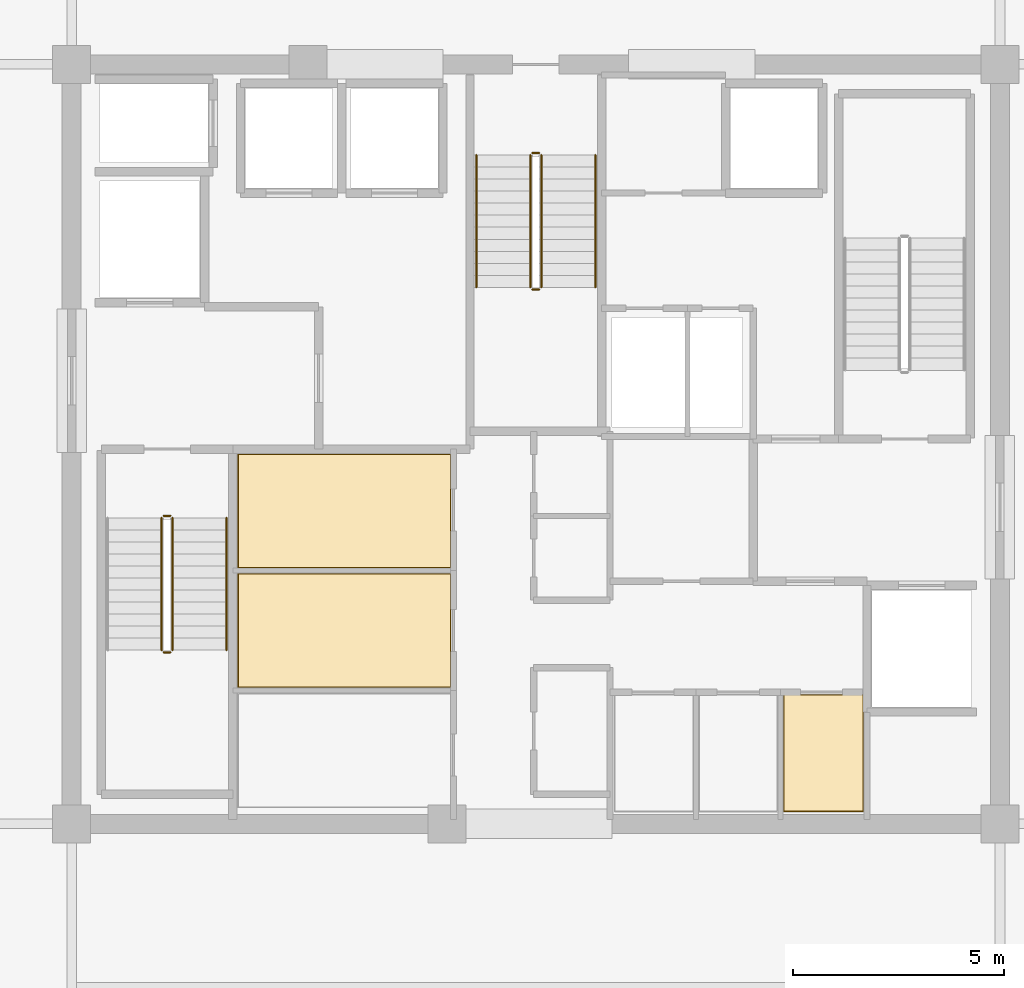
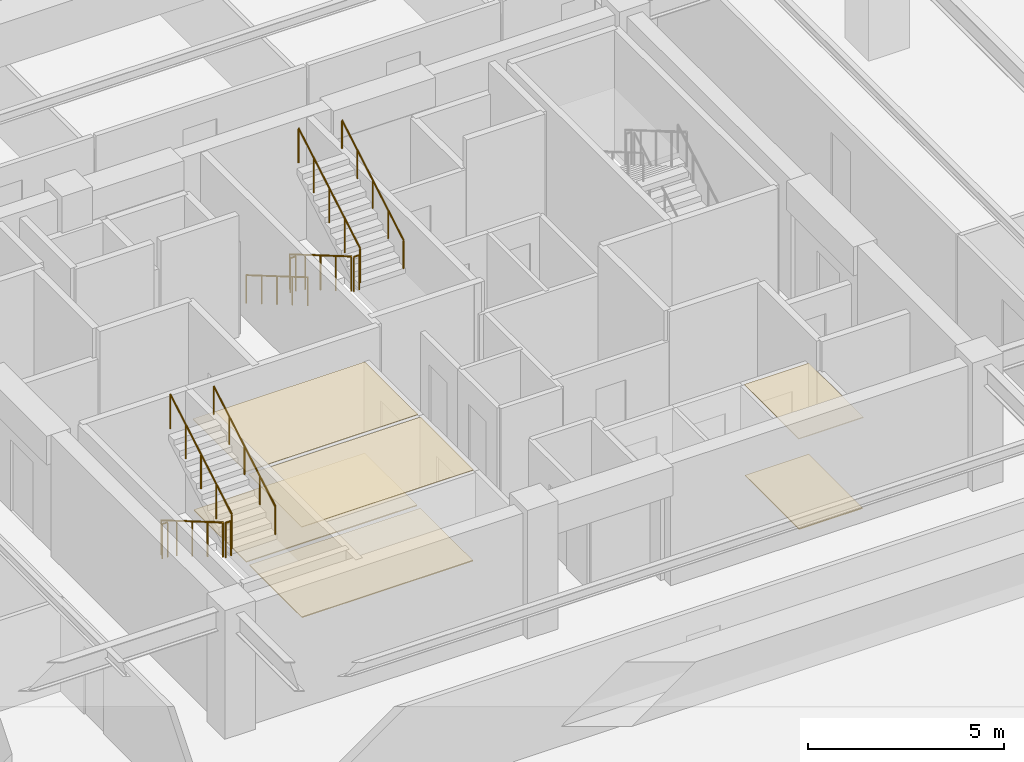
# One storey, part 19 of 21: 11 railings, 6 coverings.
"""IFC4 building model written with IfcOpenShell, lengths in metres."""

import ifcopenshell
import ifcopenshell.guid

model = None  # the IFC model being written
_history = None  # IfcOwnerHistory: only IFC2X3 demands one
_inside = {}  # id of a spatial element -> (the spatial element, [elements in it])
_under = {}  # id of a project, library or spatial element -> (it, [spatial elements below it])
_declared = {}  # id of a project -> (the project, [libraries it declares])
_typed = {}  # id of a type object -> (the type object, [elements of that type])
_made_of = {}  # id of a material, layer set ... -> (it, [elements and type objects made of it])


def new_model(schema):
    """Start an empty IFC model of exactly this schema.

    Asked for "IFC4X3", IfcOpenShell would pick the latest addendum, in which some entities
    have other attributes; the version numbers below select the first issue.
    IFC2X3 requires an IfcOwnerHistory on every rooted entity: one is made here for all.
    """
    global model, _history
    if schema == "IFC4X3":
        model = ifcopenshell.file(schema_version=(4, 3, 0, 0))
    else:
        model = ifcopenshell.file(schema=schema)
    _inside.clear()
    _under.clear()
    _declared.clear()
    _typed.clear()
    _made_of.clear()
    _history = None
    if model.schema == "IFC2X3":
        org = make("IfcOrganization", Name="unknown")
        user = make(
            "IfcPersonAndOrganization",
            ThePerson=make("IfcPerson", FamilyName="unknown"),
            TheOrganization=org,
        )
        app = make(
            "IfcApplication",
            ApplicationDeveloper=org,
            Version="unknown",
            ApplicationFullName="unknown",
            ApplicationIdentifier="unknown",
        )
        _history = make(
            "IfcOwnerHistory",
            OwningUser=user,
            OwningApplication=app,
            ChangeAction="ADDED",
            CreationDate=0,
        )
    return model


def make(cls, **values):
    """One entity of the class cls with the attributes given. An attribute that is None is left unset."""
    return model.create_entity(
        cls, **{name: value for name, value in values.items() if value is not None}
    )


def rooted(cls, **values):
    """An entity with a GlobalId (a new one), such as an element, a storey or a relation."""
    return make(cls, GlobalId=ifcopenshell.guid.new(), OwnerHistory=_history, **values)


def si_unit(unit_type, name, prefix=None):
    """IfcSIUnit, for example si_unit("LENGTHUNIT", "METRE", prefix="MILLI")."""
    return make("IfcSIUnit", UnitType=unit_type, Prefix=prefix, Name=name)


def assignment(units):
    """IfcUnitAssignment: the units of a project."""
    return None if units is None else make("IfcUnitAssignment", Units=units)


def point(xyz):
    """IfcCartesianPoint."""
    return None if xyz is None else make("IfcCartesianPoint", Coordinates=xyz)


def direction(xyz):
    """IfcDirection."""
    return None if xyz is None else make("IfcDirection", DirectionRatios=xyz)


def frame(location, z_axis=None, x_axis=None):
    """IfcAxis2Placement3D, a coordinate frame: its origin and axes. An axis left out is left unset."""
    return make(
        "IfcAxis2Placement3D",
        Location=point(location),
        Axis=direction(z_axis),
        RefDirection=direction(x_axis),
    )


def frame_2d(location, x_axis=None):
    """IfcAxis2Placement2D, a coordinate frame in the plane: its origin and x axis."""
    return make(
        "IfcAxis2Placement2D", Location=point(location), RefDirection=direction(x_axis)
    )


def origin():
    """The frame at (0, 0, 0) with its axes left unset."""
    return frame((0.0, 0.0, 0.0))


def origin_2d():
    """The frame at (0, 0) in the plane with its x axis left unset."""
    return frame_2d((0.0, 0.0))


def place(relative_to, where):
    """IfcLocalPlacement: puts the frame where relative to a parent placement (None: the world)."""
    return make(
        "IfcLocalPlacement", PlacementRelTo=relative_to, RelativePlacement=where
    )


def context(
    kind, dimensions, precision=None, world=None, true_north=None, identifier=None
):
    """IfcGeometricRepresentationContext, for example the 3D "Model" context."""
    return make(
        "IfcGeometricRepresentationContext",
        ContextIdentifier=identifier,
        ContextType=kind,
        CoordinateSpaceDimension=dimensions,
        Precision=precision,
        WorldCoordinateSystem=world,
        TrueNorth=true_north,
    )


def subcontext(parent, identifier, kind, view, scale=None):
    """IfcGeometricRepresentationSubContext, for example "Body" below "Model"."""
    return make(
        "IfcGeometricRepresentationSubContext",
        ContextIdentifier=identifier,
        ContextType=kind,
        ParentContext=parent,
        TargetScale=scale,
        TargetView=view,
    )


def project(units=None, contexts=None):
    """IfcProject with its units and contexts."""
    return rooted(
        "IfcProject",
        Name="project",
        RepresentationContexts=contexts,
        UnitsInContext=assignment(units),
    )


def spatial(cls, under=None, at=None, **own):
    """A site, building, storey or space (cls), placed at a placement, below another one or the project."""
    s = rooted(cls, ObjectPlacement=at, **own)
    if under is not None:
        _under.setdefault(under.id(), (under, []))[1].append(s)
    return s


def polyline(points):
    """IfcPolyline through the points."""
    return make("IfcPolyline", Points=[point(p) for p in points])


def profile(cls, at=None, kind="AREA", **sizes):
    """A parametric profile (cls). Its sizes go by their IFC names, for example OverallWidth=200.0."""
    return make(cls, ProfileType=kind, Position=at, **sizes)


def circle(**sizes):
    """IfcCircleProfileDef."""
    return profile("IfcCircleProfileDef", **sizes)


def outline(outer, holes=None, kind="AREA"):
    """IfcArbitraryClosedProfileDef: a profile drawn as a closed curve; with holes, ...WithVoids."""
    if holes is None:
        return make("IfcArbitraryClosedProfileDef", ProfileType=kind, OuterCurve=outer)
    return make(
        "IfcArbitraryProfileDefWithVoids",
        ProfileType=kind,
        OuterCurve=outer,
        InnerCurves=holes,
    )


def extrude(swept, where, along, depth):
    """IfcExtrudedAreaSolid: the profile swept, set in the frame where, extruded along a direction by depth."""
    return make(
        "IfcExtrudedAreaSolid",
        SweptArea=swept,
        Position=where,
        ExtrudedDirection=direction(along),
        Depth=depth,
    )


def shape(context_of_items, identifier, shape_type, items):
    """IfcShapeRepresentation: the items that make up one representation, for example the "Body"."""
    return make(
        "IfcShapeRepresentation",
        ContextOfItems=context_of_items,
        RepresentationIdentifier=identifier,
        RepresentationType=shape_type,
        Items=items,
    )


def material(Name=None, Category=None):
    """IfcMaterial."""
    return make("IfcMaterial", Name=Name, Category=Category)


def layer(
    of_material, thickness, ventilated=None, Name=None, Category=None, Priority=None
):
    """IfcMaterialLayer: one layer of a wall or slab, of a material (None: an air gap)."""
    return make(
        "IfcMaterialLayer",
        Material=of_material,
        LayerThickness=thickness,
        IsVentilated=ventilated,
        Name=Name,
        Category=Category,
        Priority=Priority,
    )


def layer_set(layers, Name=None):
    """IfcMaterialLayerSet."""
    return make("IfcMaterialLayerSet", MaterialLayers=layers, LayerSetName=Name)


def made_of(thing, what):
    """Note that an element or type object is made of a material, layer set ...; save() writes the relation."""
    if what is not None:
        _made_of.setdefault(what.id(), (what, []))[1].append(thing)
    return thing


def type_object(cls, material=None, **own):
    """A type object (cls), such as IfcWallType, which elements share."""
    return made_of(rooted(cls, **own), material)


def element(
    cls,
    number,
    at=None,
    inside=None,
    cuts=None,
    type_object=None,
    material=None,
    context=None,
    identifier="Body",
    shape_type=None,
    held_by="IfcProductDefinitionShape",
    body=None,
    shapes=None,
    **own,
):
    """One element of the class cls, such as IfcWall. Its Tag is "e" and its number.

    at: its placement. inside: the storey or other place that contains it. cuts: it is an
    opening in that element (IfcRelVoidsElement). A single representation is given by context,
    identifier, shape_type and body (its items); several are given by shapes. held_by: the class
    of the entity that holds the representations. save() writes the other relations.
    """
    e = rooted(cls, Tag="e%d" % number, ObjectPlacement=at, **own)
    if body is not None:
        shapes = [shape(context, identifier, shape_type, body)]
    if shapes is not None:
        e.Representation = make(held_by, Representations=shapes)
    if inside is not None:
        _inside.setdefault(inside.id(), (inside, []))[1].append(e)
    if cuts is not None:
        rooted(
            "IfcRelVoidsElement", RelatingBuildingElement=cuts, RelatedOpeningElement=e
        )
    if type_object is not None:
        _typed.setdefault(type_object.id(), (type_object, []))[1].append(e)
    return made_of(e, material)


def aggregate(whole, parts):
    """IfcRelAggregates: a whole, such as a stair, and the parts it consists of."""
    return rooted("IfcRelAggregates", RelatingObject=whole, RelatedObjects=parts)


def save(model, path):
    """Write the relations noted so far, then the file.

    IfcRelAggregates (storeys below a building ...), IfcRelContainedInSpatialStructure (elements
    in a storey), IfcRelDefinesByType, IfcRelAssociatesMaterial and IfcRelDeclares: one each for
    every whole, place, type object, material and project.
    """
    for whole, parts in _under.values():
        aggregate(whole, parts)
    for where, things in _inside.values():
        rooted(
            "IfcRelContainedInSpatialStructure",
            RelatedElements=things,
            RelatingStructure=where,
        )
    for kind, things in _typed.values():
        rooted("IfcRelDefinesByType", RelatedObjects=things, RelatingType=kind)
    for what, things in _made_of.values():
        rooted("IfcRelAssociatesMaterial", RelatedObjects=things, RelatingMaterial=what)
    for by, libraries in _declared.values():
        rooted("IfcRelDeclares", RelatingContext=by, RelatedDefinitions=libraries)
    model.write(path)


model = new_model("IFC4")

# Units and contexts
model_context = context("Model", 3, precision=1e-05, world=origin(), true_north=direction((0.0, 1.0)))
body_context = subcontext(model_context, "Body", "Model", "MODEL_VIEW")
ifc_project = project(units=[si_unit("LENGTHUNIT", "METRE"), si_unit("AREAUNIT", "SQUARE_METRE"), si_unit("VOLUMEUNIT", "CUBIC_METRE"), si_unit("PLANEANGLEUNIT", "RADIAN"), si_unit("MASSUNIT", "GRAM", prefix="KILO")], contexts=[model_context])

# Site, building, storey
site_placement = place(None, origin())
site = spatial("IfcSite", under=ifc_project, at=site_placement, CompositionType="ELEMENT")
building_placement = place(site_placement, origin())
building = spatial("IfcBuilding", under=site, at=building_placement, Name="Kovane Verandah Tower", CompositionType="ELEMENT")
storey_placement = place(building_placement, frame((0.0, 0.0, 283.199951171875)))
storey = spatial("IfcBuildingStorey", under=building, at=storey_placement, Name="L66", CompositionType="ELEMENT", Elevation=283.199951171875)

# Coverings
ifc_material_1 = material(Name="Perforated Acoustic Mineral-Fibre Ceiling Tile", Category="gypsum")
ifc_layer_1 = layer(ifc_material_1, 0.02490234375)
ifc_layer_set_1 = layer_set([ifc_layer_1], Name="Perforated Acoustic Mineral-Fibre Ceiling Tile")
covering_type_1 = type_object("IfcCoveringType", Name="CV-CEIL-25", PredefinedType="CEILING", material=ifc_layer_set_1)
covering_1_placement = place(storey_placement, frame((0.0, 0.0, 2.824951171875)))
element("IfcCovering", 1, at=covering_1_placement, inside=storey, type_object=covering_type_1, Name="L66 First Aid and Wellness Room Acoustic Ceiling", PredefinedType="CEILING", context=body_context, shape_type="SweptSolid", body=[
    extrude(outline(polyline([(32.93505859375, 21.72509765625), (37.9951171875, 21.72509765625), (37.9951171875, 24.43505859375), (32.93505859375, 24.43505859375), (32.93505859375, 21.72509765625)])), origin(), (0.0, 0.0, 1.0), 0.025146484375),
])
covering_2_placement = place(storey_placement, frame((0.0, 0.0, 2.824951171875)))
element("IfcCovering", 2, at=covering_2_placement, inside=storey, type_object=covering_type_1, Name="L66 Tea and Copy Hub Acoustic Ceiling", PredefinedType="CEILING", context=body_context, shape_type="SweptSolid", body=[
    extrude(outline(polyline([(32.93505859375, 24.56494140625), (37.9951171875, 24.56494140625), (37.9951171875, 27.264892578125), (32.93505859375, 27.264892578125), (32.93505859375, 24.56494140625)])), origin(), (0.0, 0.0, 1.0), 0.025146484375),
])
covering_3_placement = place(storey_placement, frame((0.0, 0.0, 2.824951171875)))
element("IfcCovering", 3, at=covering_3_placement, inside=storey, type_object=covering_type_1, Name="L66 Quiet Wellness Room Acoustic Ceiling", PredefinedType="CEILING", context=body_context, shape_type="SweptSolid", body=[
    extrude(outline(polyline([(45.864990234375, 18.784912109375), (47.764892578125, 18.784912109375), (47.764892578125, 21.56494140625), (45.864990234375, 21.56494140625), (45.864990234375, 18.784912109375)])), origin(), (0.0, 0.0, 1.0), 0.025146484375),
])
ifc_material_2 = material(Name="Polished Terrazzo and Raised-Access Carpet Tile Finish", Category="concrete")
ifc_layer_2 = layer(ifc_material_2, 0.030029296875)
ifc_layer_set_2 = layer_set([ifc_layer_2], Name="Polished Terrazzo and Raised-Access Carpet Tile Finish")
covering_type_2 = type_object("IfcCoveringType", Name="CV-FLOR-30", PredefinedType="FLOORING", material=ifc_layer_set_2)
covering_4_placement = place(storey_placement, origin())
element("IfcCovering", 4, at=covering_4_placement, inside=storey, type_object=covering_type_2, Name="L66 First Aid and Wellness Room Floor Finish", PredefinedType="FLOORING", context=body_context, shape_type="SweptSolid", body=[
    extrude(outline(polyline([(32.949951171875, 21.739990234375), (37.97998046875, 21.739990234375), (37.97998046875, 24.419921875), (32.949951171875, 24.419921875), (32.949951171875, 21.739990234375)])), origin(), (0.0, 0.0, 1.0), 0.030029296875),
])
covering_5_placement = place(storey_placement, origin())
element("IfcCovering", 5, at=covering_5_placement, inside=storey, type_object=covering_type_2, Name="L66 Tea and Copy Hub Floor Finish", PredefinedType="FLOORING", context=body_context, shape_type="SweptSolid", body=[
    extrude(outline(polyline([(32.949951171875, 24.580078125), (37.97998046875, 24.580078125), (37.97998046875, 27.25), (32.949951171875, 27.25), (32.949951171875, 24.580078125)])), origin(), (0.0, 0.0, 1.0), 0.030029296875),
])
covering_6_placement = place(storey_placement, origin())
element("IfcCovering", 6, at=covering_6_placement, inside=storey, type_object=covering_type_2, Name="L66 Quiet Wellness Room Floor Finish", PredefinedType="FLOORING", context=body_context, shape_type="SweptSolid", body=[
    extrude(outline(polyline([(45.8798828125, 18.800048828125), (47.75, 18.800048828125), (47.75, 21.550048828125), (45.8798828125, 21.550048828125), (45.8798828125, 18.800048828125)])), origin(), (0.0, 0.0, 1.0), 0.030029296875),
])

# Railings
ifc_material_3 = material(Name="Brushed Stainless Steel Handrail", Category="steel")
railing_type_1 = type_object("IfcRailingType", Name="RL-HAND-920", PredefinedType="HANDRAIL", material=ifc_material_3)
railing_1_placement = place(storey_placement, frame((32.669921875, 22.614990234375, 2.166748046875)))
element("IfcRailing", 7, at=railing_1_placement, inside=storey, type_object=railing_type_1, Name="L66 ST-01 stair handrail 2", PredefinedType="HANDRAIL", context=body_context, shape_type="SweptSolid", body=[
    extrude(circle(Radius=0.02392578125, at=origin_2d()), frame((0.0, 0.0, 0.8759765625), z_axis=(0.0, 0.863239559939, 0.504794475164), x_axis=(-1.0, 0.0, 0.0)), (0.0, 0.0, 1.0), 3.631591796875),
    extrude(circle(Radius=0.02099609375, at=origin_2d()), origin(), (0.0, 0.0, 1.0), 0.851806640625),
    extrude(circle(Radius=0.02099609375, at=origin_2d()), frame((0.0, 0.78369140625, 0.458251953125)), (0.0, 0.0, 1.0), 0.851806640625),
    extrude(circle(Radius=0.02099609375, at=origin_2d()), frame((0.0, 1.5673828125, 0.91650390625)), (0.0, 0.0, 1.0), 0.851806640625),
    extrude(circle(Radius=0.02099609375, at=origin_2d()), frame((0.0, 2.351318359375, 1.375)), (0.0, 0.0, 1.0), 0.851806640625),
    extrude(circle(Radius=0.02099609375, at=origin_2d()), frame((0.0, 3.135009765625, 1.833251953125)), (0.0, 0.0, 1.0), 0.851806640625),
])
railing_2_placement = place(storey_placement, frame((38.590087890625, 34.35009765625, 0.166748046875)))
element("IfcRailing", 8, at=railing_2_placement, inside=storey, type_object=railing_type_1, Name="L66 ST-03 stair handrail 1", PredefinedType="HANDRAIL", context=body_context, shape_type="SweptSolid", body=[
    extrude(circle(Radius=0.02392578125, at=origin_2d()), frame((0.0, 0.0, 0.8759765625), z_axis=(0.0, -0.863239559939, 0.504794475164), x_axis=(1.0, 0.0, 0.0)), (0.0, 0.0, 1.0), 3.631591796875),
    extrude(circle(Radius=0.02099609375, at=origin_2d()), origin(), (0.0, 0.0, 1.0), 0.851806640625),
    extrude(circle(Radius=0.02099609375, at=origin_2d()), frame((0.0, -0.78369140625, 0.458251953125)), (0.0, 0.0, 1.0), 0.851806640625),
    extrude(circle(Radius=0.02099609375, at=origin_2d()), frame((0.0, -1.5673828125, 0.91650390625)), (0.0, 0.0, 1.0), 0.851806640625),
    extrude(circle(Radius=0.02099609375, at=origin_2d()), frame((0.0, -2.351318359375, 1.375)), (0.0, 0.0, 1.0), 0.851806640625),
    extrude(circle(Radius=0.02099609375, at=origin_2d()), frame((0.0, -3.135009765625, 1.833251953125)), (0.0, 0.0, 1.0), 0.851806640625),
])
railing_3_placement = place(storey_placement, frame((41.409912109375, 31.215087890625, 2.166748046875)))
element("IfcRailing", 9, at=railing_3_placement, inside=storey, type_object=railing_type_1, Name="L66 ST-03 stair handrail 2", PredefinedType="HANDRAIL", context=body_context, shape_type="SweptSolid", body=[
    extrude(circle(Radius=0.02392578125, at=origin_2d()), frame((0.0, 0.0, 0.8759765625), z_axis=(0.0, 0.863239559939, 0.504794475164), x_axis=(-1.0, 0.0, 0.0)), (0.0, 0.0, 1.0), 3.631591796875),
    extrude(circle(Radius=0.02099609375, at=origin_2d()), origin(), (0.0, 0.0, 1.0), 0.851806640625),
    extrude(circle(Radius=0.02099609375, at=origin_2d()), frame((0.0, 0.78369140625, 0.458251953125)), (0.0, 0.0, 1.0), 0.851806640625),
    extrude(circle(Radius=0.02099609375, at=origin_2d()), frame((0.0, 1.5673828125, 0.91650390625)), (0.0, 0.0, 1.0), 0.851806640625),
    extrude(circle(Radius=0.02099609375, at=origin_2d()), frame((0.0, 2.351318359375, 1.375)), (0.0, 0.0, 1.0), 0.851806640625),
    extrude(circle(Radius=0.02099609375, at=origin_2d()), frame((0.0, 3.135009765625, 1.833251953125)), (0.0, 0.0, 1.0), 0.851806640625),
])
ifc_material_4 = material(Name="Painted Steel Stairwell Guardrail", Category="steel")
railing_type_2 = type_object("IfcRailingType", Name="RL-STGUARD-1120", PredefinedType="GUARDRAIL", material=ifc_material_4)
railing_4_placement = place(storey_placement, frame((31.1298828125, 25.75, 0.166748046875)))
element("IfcRailing", 10, at=railing_4_placement, inside=storey, type_object=railing_type_2, Name="L66 ST-01 stair guard 1", PredefinedType="GUARDRAIL", context=body_context, shape_type="SweptSolid", body=[
    extrude(circle(Radius=0.02392578125, at=origin_2d()), frame((0.0, 0.0, 1.076171875), z_axis=(0.0, -0.863239559939, 0.504794475164), x_axis=(1.0, 0.0, 0.0)), (0.0, 0.0, 1.0), 3.631591796875),
    extrude(circle(Radius=0.02099609375, at=origin_2d()), origin(), (0.0, 0.0, 1.0), 1.052001953125),
    extrude(circle(Radius=0.02099609375, at=origin_2d()), frame((0.0, -0.78369140625, 0.458251953125)), (0.0, 0.0, 1.0), 1.052001953125),
    extrude(circle(Radius=0.02099609375, at=origin_2d()), frame((0.0, -1.5673828125, 0.91650390625)), (0.0, 0.0, 1.0), 1.052001953125),
    extrude(circle(Radius=0.02099609375, at=origin_2d()), frame((0.0, -2.351318359375, 1.375)), (0.0, 0.0, 1.0), 1.052001953125),
    extrude(circle(Radius=0.02099609375, at=origin_2d()), frame((0.0, -3.135009765625, 1.833251953125)), (0.0, 0.0, 1.0), 1.052001953125),
])
railing_5_placement = place(storey_placement, frame((31.179931640625, 22.56494140625, 2.0)))
element("IfcRailing", 11, at=railing_5_placement, inside=storey, type_object=railing_type_2, Name="L66 ST-01 stair guard 2", PredefinedType="GUARDRAIL", context=body_context, shape_type="SweptSolid", body=[
    extrude(circle(Radius=0.02392578125, at=origin_2d()), frame((0.0, 0.0, 1.076171875), z_axis=(1.0, 0.0, 0.0), x_axis=(0.0, 1.0, 0.0)), (0.0, 0.0, 1.0), 0.16015625),
    extrude(circle(Radius=0.02099609375, at=origin_2d()), origin(), (0.0, 0.0, 1.0), 1.052001953125),
    extrude(circle(Radius=0.02099609375, at=origin_2d()), frame((0.16015625, 0.0, 0.0)), (0.0, 0.0, 1.0), 1.052001953125),
])
railing_6_placement = place(storey_placement, frame((31.389892578125, 22.614990234375, 2.166748046875)))
element("IfcRailing", 12, at=railing_6_placement, inside=storey, type_object=railing_type_2, Name="L66 ST-01 stair guard 3", PredefinedType="GUARDRAIL", context=body_context, shape_type="SweptSolid", body=[
    extrude(circle(Radius=0.02392578125, at=origin_2d()), frame((0.0, 0.0, 1.076171875), z_axis=(0.0, 0.863239559939, 0.504794475164), x_axis=(-1.0, 0.0, 0.0)), (0.0, 0.0, 1.0), 3.631591796875),
    extrude(circle(Radius=0.02099609375, at=origin_2d()), origin(), (0.0, 0.0, 1.0), 1.052001953125),
    extrude(circle(Radius=0.02099609375, at=origin_2d()), frame((0.0, 0.78369140625, 0.458251953125)), (0.0, 0.0, 1.0), 1.052001953125),
    extrude(circle(Radius=0.02099609375, at=origin_2d()), frame((0.0, 1.5673828125, 0.91650390625)), (0.0, 0.0, 1.0), 1.052001953125),
    extrude(circle(Radius=0.02099609375, at=origin_2d()), frame((0.0, 2.351318359375, 1.375)), (0.0, 0.0, 1.0), 1.052001953125),
    extrude(circle(Radius=0.02099609375, at=origin_2d()), frame((0.0, 3.135009765625, 1.833251953125)), (0.0, 0.0, 1.0), 1.052001953125),
])
railing_7_placement = place(storey_placement, frame((31.179931640625, 25.800048828125, 0.0)))
element("IfcRailing", 13, at=railing_7_placement, inside=storey, type_object=railing_type_2, Name="L66 ST-01 stair guard 4", PredefinedType="GUARDRAIL", context=body_context, shape_type="SweptSolid", body=[
    extrude(circle(Radius=0.02392578125, at=origin_2d()), frame((0.0, 0.0, 1.076171875), z_axis=(1.0, 0.0, 0.0), x_axis=(0.0, 1.0, 0.0)), (0.0, 0.0, 1.0), 0.16015625),
    extrude(circle(Radius=0.02099609375, at=origin_2d()), origin(), (0.0, 0.0, 1.0), 1.052001953125),
    extrude(circle(Radius=0.02099609375, at=origin_2d()), frame((0.16015625, 0.0, 0.0)), (0.0, 0.0, 1.0), 1.052001953125),
])
railing_8_placement = place(storey_placement, frame((39.8701171875, 34.35009765625, 0.166748046875)))
element("IfcRailing", 14, at=railing_8_placement, inside=storey, type_object=railing_type_2, Name="L66 ST-03 stair guard 1", PredefinedType="GUARDRAIL", context=body_context, shape_type="SweptSolid", body=[
    extrude(circle(Radius=0.02392578125, at=origin_2d()), frame((0.0, 0.0, 1.076171875), z_axis=(0.0, -0.863239559939, 0.504794475164), x_axis=(1.0, 0.0, 0.0)), (0.0, 0.0, 1.0), 3.631591796875),
    extrude(circle(Radius=0.02099609375, at=origin_2d()), origin(), (0.0, 0.0, 1.0), 1.052001953125),
    extrude(circle(Radius=0.02099609375, at=origin_2d()), frame((0.0, -0.78369140625, 0.458251953125)), (0.0, 0.0, 1.0), 1.052001953125),
    extrude(circle(Radius=0.02099609375, at=origin_2d()), frame((0.0, -1.5673828125, 0.91650390625)), (0.0, 0.0, 1.0), 1.052001953125),
    extrude(circle(Radius=0.02099609375, at=origin_2d()), frame((0.0, -2.351318359375, 1.375)), (0.0, 0.0, 1.0), 1.052001953125),
    extrude(circle(Radius=0.02099609375, at=origin_2d()), frame((0.0, -3.135009765625, 1.833251953125)), (0.0, 0.0, 1.0), 1.052001953125),
])
railing_9_placement = place(storey_placement, frame((39.919921875, 31.1650390625, 2.0)))
element("IfcRailing", 15, at=railing_9_placement, inside=storey, type_object=railing_type_2, Name="L66 ST-03 stair guard 2", PredefinedType="GUARDRAIL", context=body_context, shape_type="SweptSolid", body=[
    extrude(circle(Radius=0.02392578125, at=origin_2d()), frame((0.0, 0.0, 1.076171875), z_axis=(1.0, 0.0, 0.0), x_axis=(0.0, 1.0, 0.0)), (0.0, 0.0, 1.0), 0.16015625),
    extrude(circle(Radius=0.02099609375, at=origin_2d()), origin(), (0.0, 0.0, 1.0), 1.052001953125),
    extrude(circle(Radius=0.02099609375, at=origin_2d()), frame((0.16015625, 0.0, 0.0)), (0.0, 0.0, 1.0), 1.052001953125),
])
railing_10_placement = place(storey_placement, frame((40.1298828125, 31.215087890625, 2.166748046875)))
element("IfcRailing", 16, at=railing_10_placement, inside=storey, type_object=railing_type_2, Name="L66 ST-03 stair guard 3", PredefinedType="GUARDRAIL", context=body_context, shape_type="SweptSolid", body=[
    extrude(circle(Radius=0.02392578125, at=origin_2d()), frame((0.0, 0.0, 1.076171875), z_axis=(0.0, 0.863239559939, 0.504794475164), x_axis=(-1.0, 0.0, 0.0)), (0.0, 0.0, 1.0), 3.631591796875),
    extrude(circle(Radius=0.02099609375, at=origin_2d()), origin(), (0.0, 0.0, 1.0), 1.052001953125),
    extrude(circle(Radius=0.02099609375, at=origin_2d()), frame((0.0, 0.78369140625, 0.458251953125)), (0.0, 0.0, 1.0), 1.052001953125),
    extrude(circle(Radius=0.02099609375, at=origin_2d()), frame((0.0, 1.5673828125, 0.91650390625)), (0.0, 0.0, 1.0), 1.052001953125),
    extrude(circle(Radius=0.02099609375, at=origin_2d()), frame((0.0, 2.351318359375, 1.375)), (0.0, 0.0, 1.0), 1.052001953125),
    extrude(circle(Radius=0.02099609375, at=origin_2d()), frame((0.0, 3.135009765625, 1.833251953125)), (0.0, 0.0, 1.0), 1.052001953125),
])
railing_11_placement = place(storey_placement, frame((39.919921875, 34.39990234375, 0.0)))
element("IfcRailing", 17, at=railing_11_placement, inside=storey, type_object=railing_type_2, Name="L66 ST-03 stair guard 4", PredefinedType="GUARDRAIL", context=body_context, shape_type="SweptSolid", body=[
    extrude(circle(Radius=0.02392578125, at=origin_2d()), frame((0.0, 0.0, 1.076171875), z_axis=(1.0, 0.0, 0.0), x_axis=(0.0, 1.0, 0.0)), (0.0, 0.0, 1.0), 0.16015625),
    extrude(circle(Radius=0.02099609375, at=origin_2d()), origin(), (0.0, 0.0, 1.0), 1.052001953125),
    extrude(circle(Radius=0.02099609375, at=origin_2d()), frame((0.16015625, 0.0, 0.0)), (0.0, 0.0, 1.0), 1.052001953125),
])

save(model, "model.ifc")
